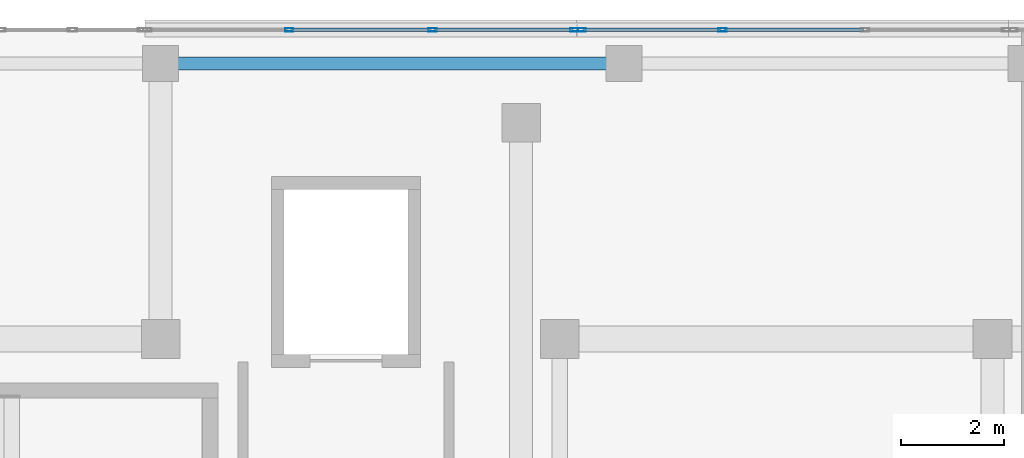
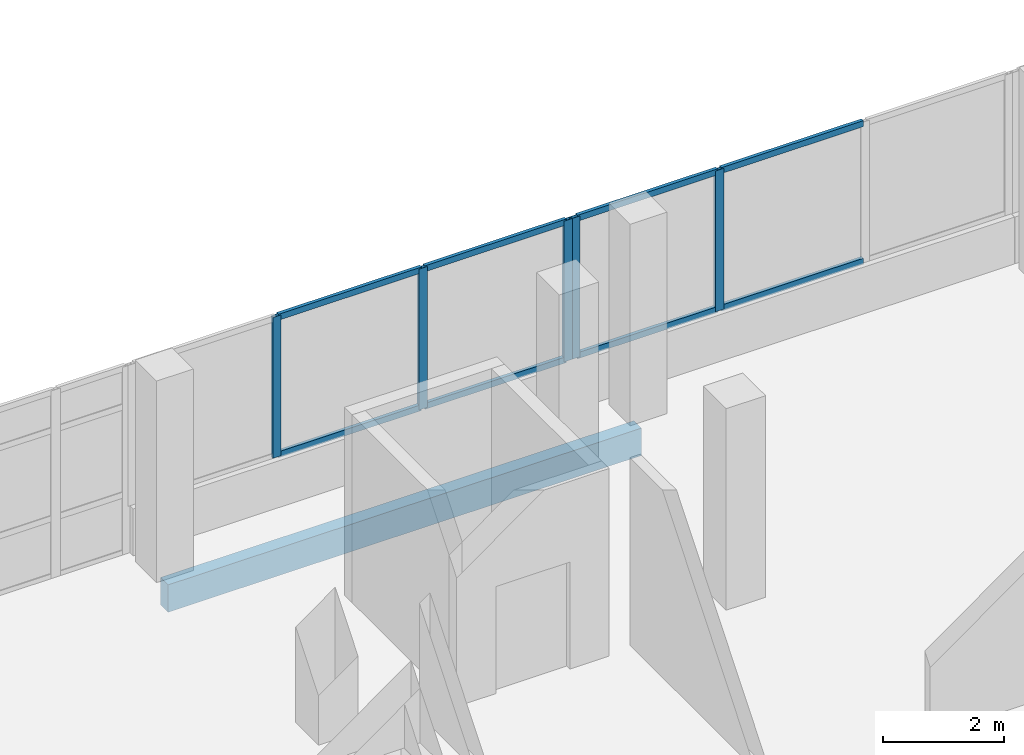
# One storey, part 67 of 101: 13 members, 1 beam, 2 elements without a shape of their own.
"""IFC4 building model written with IfcOpenShell, lengths in metres."""

from ifc_helpers import new_model, si_unit, direction, frame, origin, origin_2d, place, context, subcontext, project, spatial, rectangle, hollow_rectangle, extrude, material, material_profile, profile_set, type_object, element, aggregate, save


model = new_model("IFC4")

# Units and contexts
model_context = context("Model", 3, precision=1e-05, world=origin(), true_north=direction((0.0, 1.0)))
body_context = subcontext(model_context, "Body", "Model", "MODEL_VIEW")
ifc_project = project(units=[si_unit("LENGTHUNIT", "METRE"), si_unit("AREAUNIT", "SQUARE_METRE"), si_unit("VOLUMEUNIT", "CUBIC_METRE"), si_unit("PLANEANGLEUNIT", "RADIAN"), si_unit("MASSUNIT", "GRAM", prefix="KILO")], contexts=[model_context])

# Site, building, storey
site_placement = place(None, origin())
site = spatial("IfcSite", under=ifc_project, at=site_placement, CompositionType="ELEMENT")
building_placement = place(site_placement, origin())
building = spatial("IfcBuilding", under=site, at=building_placement, Name="Selatvlak General Hospital", CompositionType="ELEMENT")
storey_placement = place(building_placement, frame((0.0, 0.0, 19.199951171875)))
storey = spatial("IfcBuildingStorey", under=building, at=storey_placement, Name="L04", CompositionType="ELEMENT", Elevation=19.199951171875)

# Beam
ifc_material_1 = material(Name="Concrete C40/50", Category="concrete")
ifc_material_profile_1 = material_profile(ifc_material_1, rectangle(XDim=0.25, YDim=0.550048828125, at=origin_2d()), Name="RC-SP 250x550")
ifc_profile_set_1 = profile_set([ifc_material_profile_1], Name="Concrete C40/50")
beam_type = type_object("IfcBeamType", Name="BM-SP2", PredefinedType="SPANDREL", material=ifc_profile_set_1)
beam_placement = place(storey_placement, frame((140.39990234375, 119.35009765625, -0.579833984375), z_axis=(1.0, 0.0, 0.0), x_axis=(0.0, 1.0, 0.0)))
element("IfcBeam", 1, at=beam_placement, inside=storey, type_object=beam_type, Name="Beam BMR-L04-1638", PredefinedType="SPANDREL", context=body_context, shape_type="SweptSolid", body=[
    extrude(rectangle(XDim=0.25, YDim=0.550048828125, at=origin_2d()), origin(), (0.0, 0.0, 1.0), 9.0),
])

# Curtain wall, members
ifc_material_2 = material(Name="Solar-control Low-E double glazing", Category="glass")
curtain_wall_type_1 = type_object("IfcCurtainWallType", Name="CW-CW-01", PredefinedType="USERDEFINED", material=ifc_material_2)
curtain_wall_1_placement = place(storey_placement, origin())
curtain_wall_1 = element("IfcCurtainWall", 2, at=curtain_wall_1_placement, inside=storey, type_object=curtain_wall_type_1, Name="Glazed facade curtain wall CW-L04-0495", ObjectType="UNITISED CURTAIN WALL", PredefinedType="USERDEFINED")
ifc_material_3 = material(Name="Dark anodised aluminium mullion", Category="aluminium")
ifc_material_profile_2 = material_profile(ifc_material_3, hollow_rectangle(XDim=0.06494140625, YDim=0.159912109375, WallThickness=0.00390625, at=origin_2d()), Name="AL-MUL 65x160x4")
ifc_profile_set_2 = profile_set([ifc_material_profile_2], Name="Dark anodised aluminium mullion")
member_type_1 = type_object("IfcMemberType", Name="CWM-01", PredefinedType="MULLION", material=ifc_profile_set_2)
member_1_placement = place(storey_placement, frame((142.897216796875, 120.0, 0.93994140625), z_axis=(0.0, 0.0, 1.0), x_axis=(0.0, 1.0, 0.0)))
member_1 = element("IfcMember", 3, at=member_1_placement, type_object=member_type_1, Name="CW-01 mullion 2", PredefinedType="MULLION", context=body_context, shape_type="SweptSolid", body=[
    extrude(hollow_rectangle(XDim=0.06494140625, YDim=0.159912109375, WallThickness=0.00390625, at=origin_2d()), origin(), (0.0, 0.0, 1.0), 2.830078125),
])
member_2_placement = place(storey_placement, frame((145.6806640625, 120.0, 0.93994140625), z_axis=(0.0, 0.0, 1.0), x_axis=(0.0, 1.0, 0.0)))
member_2 = element("IfcMember", 4, at=member_2_placement, type_object=member_type_1, Name="CW-01 mullion 3", PredefinedType="MULLION", context=body_context, shape_type="SweptSolid", body=[
    extrude(hollow_rectangle(XDim=0.06494140625, YDim=0.159912109375, WallThickness=0.00390625, at=origin_2d()), origin(), (0.0, 0.0, 1.0), 2.830078125),
])
member_3_placement = place(storey_placement, frame((148.431396484375, 120.0, 0.93994140625), z_axis=(0.0, 0.0, 1.0), x_axis=(0.0, 1.0, 0.0)))
member_3 = element("IfcMember", 5, at=member_3_placement, type_object=member_type_1, Name="CW-01 mullion 4", PredefinedType="MULLION", context=body_context, shape_type="SweptSolid", body=[
    extrude(hollow_rectangle(XDim=0.06494140625, YDim=0.159912109375, WallThickness=0.00390625, at=origin_2d()), origin(), (0.0, 0.0, 1.0), 2.830078125),
])

curtain_wall_type_2 = type_object("IfcCurtainWallType", Name="CW-CW-02", PredefinedType="USERDEFINED", material=ifc_material_2)
curtain_wall_2_placement = place(storey_placement, origin())
curtain_wall_2 = element("IfcCurtainWall", 6, at=curtain_wall_2_placement, inside=storey, type_object=curtain_wall_type_2, Name="Glazed facade curtain wall CW-L04-0496", ObjectType="UNITISED CURTAIN WALL", PredefinedType="USERDEFINED")
member_4_placement = place(storey_placement, frame((148.576416015625, 120.0, 0.93994140625), z_axis=(0.0, 0.0, 1.0), x_axis=(0.0, 1.0, 0.0)))
member_4 = element("IfcMember", 7, at=member_4_placement, type_object=member_type_1, Name="CW-02 mullion 1", PredefinedType="MULLION", context=body_context, shape_type="SweptSolid", body=[
    extrude(hollow_rectangle(XDim=0.06494140625, YDim=0.159912109375, WallThickness=0.00390625, at=origin_2d()), origin(), (0.0, 0.0, 1.0), 2.830078125),
])
member_5_placement = place(storey_placement, frame((151.310546875, 120.0, 0.93994140625), z_axis=(0.0, 0.0, 1.0), x_axis=(0.0, 1.0, 0.0)))
member_5 = element("IfcMember", 8, at=member_5_placement, type_object=member_type_1, Name="CW-02 mullion 2", PredefinedType="MULLION", context=body_context, shape_type="SweptSolid", body=[
    extrude(hollow_rectangle(XDim=0.06494140625, YDim=0.159912109375, WallThickness=0.00390625, at=origin_2d()), origin(), (0.0, 0.0, 1.0), 2.830078125),
])

# Member
ifc_material_profile_3 = material_profile(ifc_material_3, hollow_rectangle(XDim=0.06494140625, YDim=0.1201171875, WallThickness=0.00390625, at=origin_2d()), Name="AL-TRN 65x120x4")
ifc_profile_set_3 = profile_set([ifc_material_profile_3], Name="Dark anodised aluminium mullion")
member_type_2 = type_object("IfcMemberType", Name="CWT-01", PredefinedType="USERDEFINED", material=ifc_profile_set_3)
member_6_placement = place(storey_placement, frame((142.929931640625, 120.0, 0.97265625), z_axis=(1.0, 0.0, 0.0), x_axis=(0.0, 1.0, 0.0)))
member_6 = element("IfcMember", 9, at=member_6_placement, type_object=member_type_2, Name="CW-01 transom 2.1", ObjectType="TRANSOM", PredefinedType="USERDEFINED", context=body_context, shape_type="SweptSolid", body=[
    extrude(hollow_rectangle(XDim=0.06494140625, YDim=0.1201171875, WallThickness=0.00390625, at=origin_2d()), origin(), (0.0, 0.0, 1.0), 2.71826171875),
])

member_7_placement = place(storey_placement, frame((142.929931640625, 120.0, 3.737548828125), z_axis=(1.0, 0.0, 0.0), x_axis=(0.0, 1.0, 0.0)))
member_7 = element("IfcMember", 10, at=member_7_placement, type_object=member_type_2, Name="CW-01 transom 2.2", ObjectType="TRANSOM", PredefinedType="USERDEFINED", context=body_context, shape_type="SweptSolid", body=[
    extrude(hollow_rectangle(XDim=0.06494140625, YDim=0.1201171875, WallThickness=0.00390625, at=origin_2d()), origin(), (0.0, 0.0, 1.0), 2.71826171875),
])

member_8_placement = place(storey_placement, frame((145.713134765625, 120.0, 0.97265625), z_axis=(1.0, 0.0, 0.0), x_axis=(0.0, 1.0, 0.0)))
member_8 = element("IfcMember", 11, at=member_8_placement, type_object=member_type_2, Name="CW-01 transom 3.1", ObjectType="TRANSOM", PredefinedType="USERDEFINED", context=body_context, shape_type="SweptSolid", body=[
    extrude(hollow_rectangle(XDim=0.06494140625, YDim=0.1201171875, WallThickness=0.00390625, at=origin_2d()), origin(), (0.0, 0.0, 1.0), 2.685791015625),
])

member_9_placement = place(storey_placement, frame((145.713134765625, 120.0, 3.737548828125), z_axis=(1.0, 0.0, 0.0), x_axis=(0.0, 1.0, 0.0)))
member_9 = element("IfcMember", 12, at=member_9_placement, type_object=member_type_2, Name="CW-01 transom 3.2", ObjectType="TRANSOM", PredefinedType="USERDEFINED", context=body_context, shape_type="SweptSolid", body=[
    extrude(hollow_rectangle(XDim=0.06494140625, YDim=0.1201171875, WallThickness=0.00390625, at=origin_2d()), origin(), (0.0, 0.0, 1.0), 2.685791015625),
])

aggregate(curtain_wall_1, [member_1, member_2, member_3, member_6, member_7, member_8, member_9])

member_10_placement = place(storey_placement, frame((148.60888671875, 120.0, 0.97265625), z_axis=(1.0, 0.0, 0.0), x_axis=(0.0, 1.0, 0.0)))
member_10 = element("IfcMember", 13, at=member_10_placement, type_object=member_type_2, Name="CW-02 transom 1.1", ObjectType="TRANSOM", PredefinedType="USERDEFINED", context=body_context, shape_type="SweptSolid", body=[
    extrude(hollow_rectangle(XDim=0.06494140625, YDim=0.1201171875, WallThickness=0.00390625, at=origin_2d()), origin(), (0.0, 0.0, 1.0), 2.669189453125),
])

member_11_placement = place(storey_placement, frame((148.60888671875, 120.0, 3.737548828125), z_axis=(1.0, 0.0, 0.0), x_axis=(0.0, 1.0, 0.0)))
member_11 = element("IfcMember", 14, at=member_11_placement, type_object=member_type_2, Name="CW-02 transom 1.2", ObjectType="TRANSOM", PredefinedType="USERDEFINED", context=body_context, shape_type="SweptSolid", body=[
    extrude(hollow_rectangle(XDim=0.06494140625, YDim=0.1201171875, WallThickness=0.00390625, at=origin_2d()), origin(), (0.0, 0.0, 1.0), 2.669189453125),
])

member_12_placement = place(storey_placement, frame((151.34326171875, 120.0, 0.97265625), z_axis=(1.0, 0.0, 0.0), x_axis=(0.0, 1.0, 0.0)))
member_12 = element("IfcMember", 15, at=member_12_placement, type_object=member_type_2, Name="CW-02 transom 2.1", ObjectType="TRANSOM", PredefinedType="USERDEFINED", context=body_context, shape_type="SweptSolid", body=[
    extrude(hollow_rectangle(XDim=0.06494140625, YDim=0.1201171875, WallThickness=0.00390625, at=origin_2d()), origin(), (0.0, 0.0, 1.0), 2.70166015625),
])

member_13_placement = place(storey_placement, frame((151.34326171875, 120.0, 3.737548828125), z_axis=(1.0, 0.0, 0.0), x_axis=(0.0, 1.0, 0.0)))
member_13 = element("IfcMember", 16, at=member_13_placement, type_object=member_type_2, Name="CW-02 transom 2.2", ObjectType="TRANSOM", PredefinedType="USERDEFINED", context=body_context, shape_type="SweptSolid", body=[
    extrude(hollow_rectangle(XDim=0.06494140625, YDim=0.1201171875, WallThickness=0.00390625, at=origin_2d()), origin(), (0.0, 0.0, 1.0), 2.70166015625),
])

aggregate(curtain_wall_2, [member_4, member_5, member_10, member_11, member_12, member_13])

save(model, "model.ifc")
